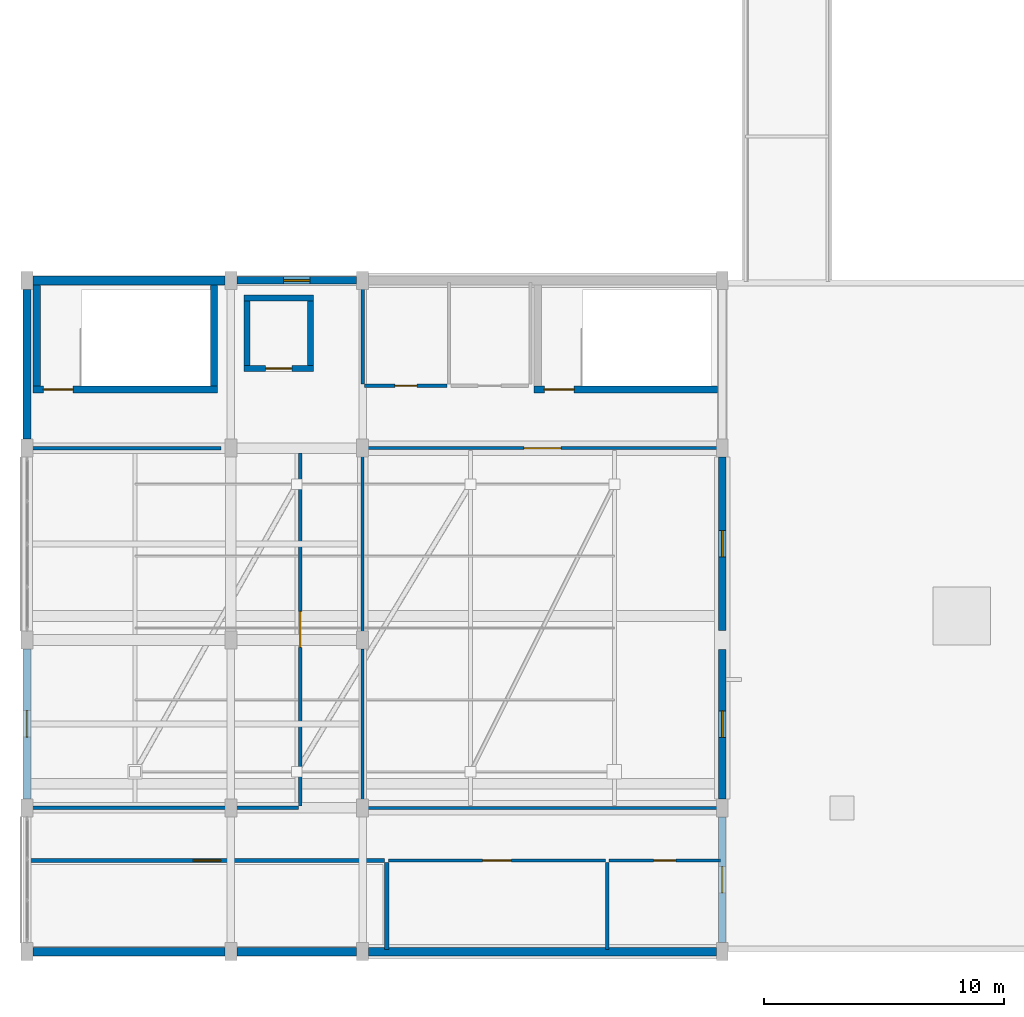
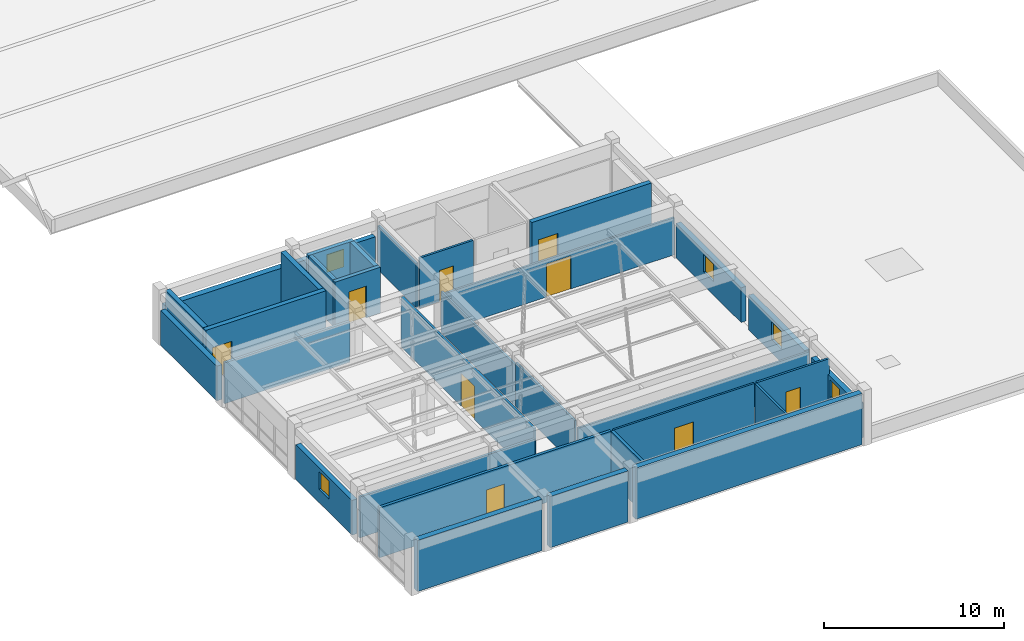
# One storey, part 25 of 42: 32 walls, 9 doors, 5 windows, 14 openings.
"""IFC4 building model written with IfcOpenShell, lengths in metres."""

import ifcopenshell
import ifcopenshell.guid

model = None  # the IFC model being written
_history = None  # IfcOwnerHistory: only IFC2X3 demands one
_inside = {}  # id of a spatial element -> (the spatial element, [elements in it])
_under = {}  # id of a project, library or spatial element -> (it, [spatial elements below it])
_declared = {}  # id of a project -> (the project, [libraries it declares])
_typed = {}  # id of a type object -> (the type object, [elements of that type])
_made_of = {}  # id of a material, layer set ... -> (it, [elements and type objects made of it])


def new_model(schema):
    """Start an empty IFC model of exactly this schema.

    Asked for "IFC4X3", IfcOpenShell would pick the latest addendum, in which some entities
    have other attributes; the version numbers below select the first issue.
    IFC2X3 requires an IfcOwnerHistory on every rooted entity: one is made here for all.
    """
    global model, _history
    if schema == "IFC4X3":
        model = ifcopenshell.file(schema_version=(4, 3, 0, 0))
    else:
        model = ifcopenshell.file(schema=schema)
    _inside.clear()
    _under.clear()
    _declared.clear()
    _typed.clear()
    _made_of.clear()
    _history = None
    if model.schema == "IFC2X3":
        org = make("IfcOrganization", Name="unknown")
        user = make(
            "IfcPersonAndOrganization",
            ThePerson=make("IfcPerson", FamilyName="unknown"),
            TheOrganization=org,
        )
        app = make(
            "IfcApplication",
            ApplicationDeveloper=org,
            Version="unknown",
            ApplicationFullName="unknown",
            ApplicationIdentifier="unknown",
        )
        _history = make(
            "IfcOwnerHistory",
            OwningUser=user,
            OwningApplication=app,
            ChangeAction="ADDED",
            CreationDate=0,
        )
    return model


def make(cls, **values):
    """One entity of the class cls with the attributes given. An attribute that is None is left unset."""
    return model.create_entity(
        cls, **{name: value for name, value in values.items() if value is not None}
    )


def rooted(cls, **values):
    """An entity with a GlobalId (a new one), such as an element, a storey or a relation."""
    return make(cls, GlobalId=ifcopenshell.guid.new(), OwnerHistory=_history, **values)


def si_unit(unit_type, name, prefix=None):
    """IfcSIUnit, for example si_unit("LENGTHUNIT", "METRE", prefix="MILLI")."""
    return make("IfcSIUnit", UnitType=unit_type, Prefix=prefix, Name=name)


def assignment(units):
    """IfcUnitAssignment: the units of a project."""
    return None if units is None else make("IfcUnitAssignment", Units=units)


def point(xyz):
    """IfcCartesianPoint."""
    return None if xyz is None else make("IfcCartesianPoint", Coordinates=xyz)


def direction(xyz):
    """IfcDirection."""
    return None if xyz is None else make("IfcDirection", DirectionRatios=xyz)


def frame(location, z_axis=None, x_axis=None):
    """IfcAxis2Placement3D, a coordinate frame: its origin and axes. An axis left out is left unset."""
    return make(
        "IfcAxis2Placement3D",
        Location=point(location),
        Axis=direction(z_axis),
        RefDirection=direction(x_axis),
    )


def frame_2d(location, x_axis=None):
    """IfcAxis2Placement2D, a coordinate frame in the plane: its origin and x axis."""
    return make(
        "IfcAxis2Placement2D", Location=point(location), RefDirection=direction(x_axis)
    )


def origin():
    """The frame at (0, 0, 0) with its axes left unset."""
    return frame((0.0, 0.0, 0.0))


def place(relative_to, where):
    """IfcLocalPlacement: puts the frame where relative to a parent placement (None: the world)."""
    return make(
        "IfcLocalPlacement", PlacementRelTo=relative_to, RelativePlacement=where
    )


def context(
    kind, dimensions, precision=None, world=None, true_north=None, identifier=None
):
    """IfcGeometricRepresentationContext, for example the 3D "Model" context."""
    return make(
        "IfcGeometricRepresentationContext",
        ContextIdentifier=identifier,
        ContextType=kind,
        CoordinateSpaceDimension=dimensions,
        Precision=precision,
        WorldCoordinateSystem=world,
        TrueNorth=true_north,
    )


def subcontext(parent, identifier, kind, view, scale=None):
    """IfcGeometricRepresentationSubContext, for example "Body" below "Model"."""
    return make(
        "IfcGeometricRepresentationSubContext",
        ContextIdentifier=identifier,
        ContextType=kind,
        ParentContext=parent,
        TargetScale=scale,
        TargetView=view,
    )


def project(units=None, contexts=None):
    """IfcProject with its units and contexts."""
    return rooted(
        "IfcProject",
        Name="project",
        RepresentationContexts=contexts,
        UnitsInContext=assignment(units),
    )


def spatial(cls, under=None, at=None, **own):
    """A site, building, storey or space (cls), placed at a placement, below another one or the project."""
    s = rooted(cls, ObjectPlacement=at, **own)
    if under is not None:
        _under.setdefault(under.id(), (under, []))[1].append(s)
    return s


def profile(cls, at=None, kind="AREA", **sizes):
    """A parametric profile (cls). Its sizes go by their IFC names, for example OverallWidth=200.0."""
    return make(cls, ProfileType=kind, Position=at, **sizes)


def rectangle(**sizes):
    """IfcRectangleProfileDef."""
    return profile("IfcRectangleProfileDef", **sizes)


def extrude(swept, where, along, depth):
    """IfcExtrudedAreaSolid: the profile swept, set in the frame where, extruded along a direction by depth."""
    return make(
        "IfcExtrudedAreaSolid",
        SweptArea=swept,
        Position=where,
        ExtrudedDirection=direction(along),
        Depth=depth,
    )


def shape(context_of_items, identifier, shape_type, items):
    """IfcShapeRepresentation: the items that make up one representation, for example the "Body"."""
    return make(
        "IfcShapeRepresentation",
        ContextOfItems=context_of_items,
        RepresentationIdentifier=identifier,
        RepresentationType=shape_type,
        Items=items,
    )


def material(Name=None, Category=None):
    """IfcMaterial."""
    return make("IfcMaterial", Name=Name, Category=Category)


def layer(
    of_material, thickness, ventilated=None, Name=None, Category=None, Priority=None
):
    """IfcMaterialLayer: one layer of a wall or slab, of a material (None: an air gap)."""
    return make(
        "IfcMaterialLayer",
        Material=of_material,
        LayerThickness=thickness,
        IsVentilated=ventilated,
        Name=Name,
        Category=Category,
        Priority=Priority,
    )


def layer_set(layers, Name=None):
    """IfcMaterialLayerSet."""
    return make("IfcMaterialLayerSet", MaterialLayers=layers, LayerSetName=Name)


def made_of(thing, what):
    """Note that an element or type object is made of a material, layer set ...; save() writes the relation."""
    if what is not None:
        _made_of.setdefault(what.id(), (what, []))[1].append(thing)
    return thing


def type_object(cls, material=None, **own):
    """A type object (cls), such as IfcWallType, which elements share."""
    return made_of(rooted(cls, **own), material)


def element(
    cls,
    number,
    at=None,
    inside=None,
    cuts=None,
    type_object=None,
    material=None,
    context=None,
    identifier="Body",
    shape_type=None,
    held_by="IfcProductDefinitionShape",
    body=None,
    shapes=None,
    **own,
):
    """One element of the class cls, such as IfcWall. Its Tag is "e" and its number.

    at: its placement. inside: the storey or other place that contains it. cuts: it is an
    opening in that element (IfcRelVoidsElement). A single representation is given by context,
    identifier, shape_type and body (its items); several are given by shapes. held_by: the class
    of the entity that holds the representations. save() writes the other relations.
    """
    e = rooted(cls, Tag="e%d" % number, ObjectPlacement=at, **own)
    if body is not None:
        shapes = [shape(context, identifier, shape_type, body)]
    if shapes is not None:
        e.Representation = make(held_by, Representations=shapes)
    if inside is not None:
        _inside.setdefault(inside.id(), (inside, []))[1].append(e)
    if cuts is not None:
        rooted(
            "IfcRelVoidsElement", RelatingBuildingElement=cuts, RelatedOpeningElement=e
        )
    if type_object is not None:
        _typed.setdefault(type_object.id(), (type_object, []))[1].append(e)
    return made_of(e, material)


def fill(opening, filler):
    """IfcRelFillsElement: the door or window that sits in an opening."""
    return rooted(
        "IfcRelFillsElement",
        RelatingOpeningElement=opening,
        RelatedBuildingElement=filler,
    )


def aggregate(whole, parts):
    """IfcRelAggregates: a whole, such as a stair, and the parts it consists of."""
    return rooted("IfcRelAggregates", RelatingObject=whole, RelatedObjects=parts)


def save(model, path):
    """Write the relations noted so far, then the file.

    IfcRelAggregates (storeys below a building ...), IfcRelContainedInSpatialStructure (elements
    in a storey), IfcRelDefinesByType, IfcRelAssociatesMaterial and IfcRelDeclares: one each for
    every whole, place, type object, material and project.
    """
    for whole, parts in _under.values():
        aggregate(whole, parts)
    for where, things in _inside.values():
        rooted(
            "IfcRelContainedInSpatialStructure",
            RelatedElements=things,
            RelatingStructure=where,
        )
    for kind, things in _typed.values():
        rooted("IfcRelDefinesByType", RelatedObjects=things, RelatingType=kind)
    for what, things in _made_of.values():
        rooted("IfcRelAssociatesMaterial", RelatedObjects=things, RelatingMaterial=what)
    for by, libraries in _declared.values():
        rooted("IfcRelDeclares", RelatingContext=by, RelatedDefinitions=libraries)
    model.write(path)


model = new_model("IFC4")

# Units and contexts
model_context = context("Model", 3, precision=1e-05, world=origin(), true_north=direction((0.0, 1.0)))
body_context = subcontext(model_context, "Body", "Model", "MODEL_VIEW")
ifc_project = project(units=[si_unit("LENGTHUNIT", "METRE"), si_unit("AREAUNIT", "SQUARE_METRE"), si_unit("VOLUMEUNIT", "CUBIC_METRE"), si_unit("PLANEANGLEUNIT", "RADIAN"), si_unit("MASSUNIT", "GRAM", prefix="KILO")], contexts=[model_context])

# Site, building, storey
site_placement = place(None, origin())
site = spatial("IfcSite", under=ifc_project, at=site_placement, CompositionType="ELEMENT")
building_placement = place(site_placement, origin())
building = spatial("IfcBuilding", under=site, at=building_placement, Name="Naurynzar Civic Courthouse", CompositionType="ELEMENT")
storey_placement = place(building_placement, frame((0.0, 0.0, 18.300048828125)))
storey = spatial("IfcBuildingStorey", under=building, at=storey_placement, Name="L05", CompositionType="ELEMENT", Elevation=18.300048828125)

# Wall, opening, door
ifc_material_1 = material(Name="Concrete C40/50", Category="concrete")
ifc_layer_1 = layer(ifc_material_1, 0.300048828125)
ifc_layer_set_1 = layer_set([ifc_layer_1], Name="WL-CORE-300")
wall_type_1 = type_object("IfcWallType", Name="WL-CORE-300", PredefinedType="SHEAR", material=ifc_layer_set_1)
wall_1_placement = place(storey_placement, frame((6.25, 27.449951171875, 0.0), z_axis=(0.0, 0.0, 1.0), x_axis=(1.0, 0.0, 0.0)))
wall_1 = element("IfcWall", 1, at=wall_1_placement, inside=storey, type_object=wall_type_1, Name="Stair ST-V4A enclosure wall south L05", PredefinedType="SHEAR", context=body_context, shape_type="SweptSolid", body=[
    extrude(rectangle(XDim=7.699951171875, YDim=0.300048828125, at=frame_2d((3.85009765625, 0.0))), origin(), (0.0, 0.0, 1.0), 3.469970703125),
])
opening_1_placement = place(wall_1_placement, frame((0.425048828125, 0.0, 0.0)))
opening_1 = element("IfcOpeningElement", 2, at=opening_1_placement, cuts=wall_1, Name="Opening SD-016", PredefinedType="OPENING", context=body_context, shape_type="SweptSolid", body=[
    extrude(rectangle(XDim=1.25, YDim=2.14990234375, at=frame_2d((0.625, 1.074951171875))), frame((0.0, 0.159912109375, 0.0), z_axis=(0.0, -1.0, 0.0), x_axis=(1.0, 0.0, 0.0)), (0.0, 0.0, 1.0), 0.320068359375),
])
ifc_material_2 = material(Name="Powder-Coated Galvanised Steel", Category="steel")
door_type_1 = type_object("IfcDoorType", Name="DR-STAIR-1250x2150", OperationType="NOTDEFINED", PredefinedType="DOOR", material=ifc_material_2)
door_1_placement = place(opening_1_placement, origin())
door_1 = element("IfcDoor", 3, at=door_1_placement, inside=storey, type_object=door_type_1, Name="Stair ST-V4A fire door L05", OperationType="SINGLE_SWING_RIGHT", OverallHeight=2.14990234375, OverallWidth=1.25, PredefinedType="DOOR", context=body_context, shape_type="SweptSolid", body=[
    extrude(rectangle(XDim=1.25, YDim=2.14990234375, at=frame_2d((0.625, 1.074951171875))), frame((0.0, 0.02490234375, 0.0), z_axis=(0.0, -1.0, 0.0), x_axis=(1.0, 0.0, 0.0)), (0.0, 0.0, 1.0), 0.050048828125),
])
fill(opening_1, door_1)

# Walls
for number, where, z_axis, x_axis, name in (
    (4, (6.39990234375, 31.804931640625, 0.0), (0.0, 0.0, 1.0), (0.0, -1.0, 0.0), "Stair ST-V4A enclosure wall west L05"),
    (5, (13.800048828125, 27.60498046875, 0.0), (0.0, 0.0, 1.0), (0.0, 1.0, 0.0), "Stair ST-V4A enclosure wall east L05"),
):
    element("IfcWall", number, at=place(storey_placement, frame(where, z_axis=z_axis, x_axis=x_axis)), inside=storey, type_object=wall_type_1, Name=name, PredefinedType="SHEAR", context=body_context, shape_type="SweptSolid", body=[
        extrude(rectangle(XDim=4.199951171875, YDim=0.300048828125, at=frame_2d((2.10009765625, 0.0))), origin(), (0.0, 0.0, 1.0), 3.469970703125),
    ])

# Wall, opening, door
wall_2_placement = place(storey_placement, frame((27.14990234375, 27.449951171875, 0.0), z_axis=(0.0, 0.0, 1.0), x_axis=(1.0, 0.0, 0.0)))
wall_2 = element("IfcWall", 6, at=wall_2_placement, inside=storey, type_object=wall_type_1, Name="Stair ST-V4B enclosure wall south L05", PredefinedType="SHEAR", context=body_context, shape_type="SweptSolid", body=[
    extrude(rectangle(XDim=7.655029296875, YDim=0.300048828125, at=frame_2d((3.82763671875, 0.0))), origin(), (0.0, 0.0, 1.0), 3.469970703125),
])
opening_2_placement = place(wall_2_placement, frame((0.425048828125, 0.0, 0.0)))
opening_2 = element("IfcOpeningElement", 7, at=opening_2_placement, cuts=wall_2, Name="Opening SD-022", PredefinedType="OPENING", context=body_context, shape_type="SweptSolid", body=[
    extrude(rectangle(XDim=1.25, YDim=2.14990234375, at=frame_2d((0.625, 1.074951171875))), frame((0.0, 0.159912109375, 0.0), z_axis=(0.0, -1.0, 0.0), x_axis=(1.0, 0.0, 0.0)), (0.0, 0.0, 1.0), 0.320068359375),
])
door_2_placement = place(opening_2_placement, origin())
door_2 = element("IfcDoor", 8, at=door_2_placement, inside=storey, type_object=door_type_1, Name="Stair ST-V4B fire door L05", OperationType="SINGLE_SWING_RIGHT", OverallHeight=2.14990234375, OverallWidth=1.25, PredefinedType="DOOR", context=body_context, shape_type="SweptSolid", body=[
    extrude(rectangle(XDim=1.25, YDim=2.14990234375, at=frame_2d((0.625, 1.074951171875))), frame((0.0, 0.02490234375, 0.0), z_axis=(0.0, -1.0, 0.0), x_axis=(1.0, 0.0, 0.0)), (0.0, 0.0, 1.0), 0.050048828125),
])
fill(opening_2, door_2)

# Wall, opening, window
ifc_material_3 = material(Name="Precast concrete C40/50", Category="concrete")
ifc_layer_2 = layer(ifc_material_3, 0.320068359375)
ifc_layer_set_2 = layer_set([ifc_layer_2], Name="WL-EXT-320")
wall_type_2 = type_object("IfcWallType", Name="WL-EXT-320", PredefinedType="SOLIDWALL", material=ifc_layer_set_2)
wall_3_placement = place(storey_placement, frame((6.0, 10.375, 0.0), z_axis=(0.0, 0.0, 1.0), x_axis=(0.0, 1.0, 0.0)))
wall_3 = element("IfcWall", 9, at=wall_3_placement, inside=storey, type_object=wall_type_2, Name="V4 exterior wall west L05.2.1", PredefinedType="SOLIDWALL", context=body_context, shape_type="SweptSolid", body=[
    extrude(rectangle(XDim=6.25, YDim=0.320068359375, at=frame_2d((3.125, 0.0))), origin(), (0.0, 0.0, 1.0), 2.349853515625),
])
opening_3_placement = place(wall_3_placement, frame((2.574951171875, 0.0, 0.89990234375)))
opening_3 = element("IfcOpeningElement", 10, at=opening_3_placement, cuts=wall_3, Name="Opening WN-15", PredefinedType="OPENING", context=body_context, shape_type="SweptSolid", body=[
    extrude(rectangle(XDim=1.10009765625, YDim=1.199951171875, at=frame_2d((0.550048828125, 0.60009765625))), frame((0.0, 0.169921875, 0.0), z_axis=(0.0, -1.0, 0.0), x_axis=(1.0, 0.0, 0.0)), (0.0, 0.0, 1.0), 0.340087890625),
])
ifc_material_4 = material(Name="Tempered Laminated Low-E Glass", Category="glass")
window_type = type_object("IfcWindowType", Name="WIN-SEC-1100x1200", PartitioningType="SINGLE_PANEL", PredefinedType="WINDOW", material=ifc_material_4)
window_1_placement = place(opening_3_placement, origin())
window_1 = element("IfcWindow", 11, at=window_1_placement, inside=storey, type_object=window_type, Name="V4 window 233 L05", OverallHeight=1.199951171875, OverallWidth=1.10009765625, PartitioningType="SINGLE_PANEL", PredefinedType="WINDOW", context=body_context, shape_type="SweptSolid", body=[
    extrude(rectangle(XDim=1.10009765625, YDim=1.199951171875, at=frame_2d((0.550048828125, 0.60009765625))), frame((0.0, 0.030029296875, 0.0), z_axis=(0.0, -1.0, 0.0), x_axis=(1.0, 0.0, 0.0)), (0.0, 0.0, 1.0), 0.06005859375),
])
fill(opening_3, window_1)

# Wall
wall_4_placement = place(storey_placement, frame((6.0, 25.375, 0.0), z_axis=(0.0, 0.0, 1.0), x_axis=(0.0, 1.0, 0.0)))
element("IfcWall", 12, at=wall_4_placement, inside=storey, type_object=wall_type_2, Name="V4 exterior wall west L05.4.1", PredefinedType="SOLIDWALL", context=body_context, shape_type="SweptSolid", body=[
    extrude(rectangle(XDim=6.25, YDim=0.320068359375, at=frame_2d((3.125, 0.0))), origin(), (0.0, 0.0, 1.0), 2.349853515625),
])

# Wall, opening, window
wall_5_placement = place(storey_placement, frame((14.75, 32.0, 0.0), z_axis=(0.0, 0.0, 1.0), x_axis=(1.0, 0.0, 0.0)))
wall_5 = element("IfcWall", 13, at=wall_5_placement, inside=storey, type_object=wall_type_2, Name="V4 exterior wall north L05.2.1", PredefinedType="SOLIDWALL", context=body_context, shape_type="SweptSolid", body=[
    extrude(rectangle(XDim=5.0, YDim=0.320068359375, at=frame_2d((2.5, 0.0))), origin(), (0.0, 0.0, 1.0), 2.349853515625),
])
opening_4_placement = place(wall_5_placement, frame((1.949951171875, 0.0, 0.89990234375)))
opening_4 = element("IfcOpeningElement", 14, at=opening_4_placement, cuts=wall_5, Name="Opening WN-15", PredefinedType="OPENING", context=body_context, shape_type="SweptSolid", body=[
    extrude(rectangle(XDim=1.10009765625, YDim=1.199951171875, at=frame_2d((0.550048828125, 0.60009765625))), frame((0.0, 0.169921875, 0.0), z_axis=(0.0, -1.0, 0.0), x_axis=(1.0, 0.0, 0.0)), (0.0, 0.0, 1.0), 0.340087890625),
])
window_2_placement = place(opening_4_placement, origin())
window_2 = element("IfcWindow", 15, at=window_2_placement, inside=storey, type_object=window_type, Name="V4 window 234 L05", OverallHeight=1.199951171875, OverallWidth=1.10009765625, PartitioningType="SINGLE_PANEL", PredefinedType="WINDOW", context=body_context, shape_type="SweptSolid", body=[
    extrude(rectangle(XDim=1.10009765625, YDim=1.199951171875, at=frame_2d((0.550048828125, 0.60009765625))), frame((0.0, 0.030029296875, 0.0), z_axis=(0.0, -1.0, 0.0), x_axis=(1.0, 0.0, 0.0)), (0.0, 0.0, 1.0), 0.06005859375),
])
fill(opening_4, window_2)

wall_6_placement = place(storey_placement, frame((35.0, 24.625, 0.0), z_axis=(0.0, 0.0, 1.0), x_axis=(0.0, -1.0, 0.0)))
wall_6 = element("IfcWall", 16, at=wall_6_placement, inside=storey, type_object=wall_type_2, Name="V4 exterior wall east L05.2.1", PredefinedType="SOLIDWALL", context=body_context, shape_type="SweptSolid", body=[
    extrude(rectangle(XDim=7.22509765625, YDim=0.320068359375, at=frame_2d((3.612548828125, 0.0))), origin(), (0.0, 0.0, 1.0), 2.349853515625),
])
opening_5_placement = place(wall_6_placement, frame((3.0625, 0.0, 0.89990234375)))
opening_5 = element("IfcOpeningElement", 17, at=opening_5_placement, cuts=wall_6, Name="Opening WN-15", PredefinedType="OPENING", context=body_context, shape_type="SweptSolid", body=[
    extrude(rectangle(XDim=1.10009765625, YDim=1.199951171875, at=frame_2d((0.550048828125, 0.60009765625))), frame((0.0, 0.169921875, 0.0), z_axis=(0.0, -1.0, 0.0), x_axis=(1.0, 0.0, 0.0)), (0.0, 0.0, 1.0), 0.340087890625),
])
window_3_placement = place(opening_5_placement, origin())
window_3 = element("IfcWindow", 18, at=window_3_placement, inside=storey, type_object=window_type, Name="V4 window 235 L05", OverallHeight=1.199951171875, OverallWidth=1.10009765625, PartitioningType="SINGLE_PANEL", PredefinedType="WINDOW", context=body_context, shape_type="SweptSolid", body=[
    extrude(rectangle(XDim=1.10009765625, YDim=1.199951171875, at=frame_2d((0.550048828125, 0.60009765625))), frame((0.0, 0.030029296875, 0.0), z_axis=(0.0, -1.0, 0.0), x_axis=(1.0, 0.0, 0.0)), (0.0, 0.0, 1.0), 0.06005859375),
])
fill(opening_5, window_3)

wall_7_placement = place(storey_placement, frame((35.0, 16.60009765625, 0.0), z_axis=(0.0, 0.0, 1.0), x_axis=(0.0, -1.0, 0.0)))
wall_7 = element("IfcWall", 19, at=wall_7_placement, inside=storey, type_object=wall_type_2, Name="V4 exterior wall east L05.3.1", PredefinedType="SOLIDWALL", context=body_context, shape_type="SweptSolid", body=[
    extrude(rectangle(XDim=6.22509765625, YDim=0.320068359375, at=frame_2d((3.112548828125, 0.0))), origin(), (0.0, 0.0, 1.0), 2.349853515625),
])
opening_6_placement = place(wall_7_placement, frame((2.5625, 0.0, 0.89990234375)))
opening_6 = element("IfcOpeningElement", 20, at=opening_6_placement, cuts=wall_7, Name="Opening WN-15", PredefinedType="OPENING", context=body_context, shape_type="SweptSolid", body=[
    extrude(rectangle(XDim=1.10009765625, YDim=1.199951171875, at=frame_2d((0.550048828125, 0.60009765625))), frame((0.0, 0.169921875, 0.0), z_axis=(0.0, -1.0, 0.0), x_axis=(1.0, 0.0, 0.0)), (0.0, 0.0, 1.0), 0.340087890625),
])
window_4_placement = place(opening_6_placement, origin())
window_4 = element("IfcWindow", 21, at=window_4_placement, inside=storey, type_object=window_type, Name="V4 window 236 L05", OverallHeight=1.199951171875, OverallWidth=1.10009765625, PartitioningType="SINGLE_PANEL", PredefinedType="WINDOW", context=body_context, shape_type="SweptSolid", body=[
    extrude(rectangle(XDim=1.10009765625, YDim=1.199951171875, at=frame_2d((0.550048828125, 0.60009765625))), frame((0.0, 0.030029296875, 0.0), z_axis=(0.0, -1.0, 0.0), x_axis=(1.0, 0.0, 0.0)), (0.0, 0.0, 1.0), 0.06005859375),
])
fill(opening_6, window_4)

wall_8_placement = place(storey_placement, frame((35.0, 9.625, 0.0), z_axis=(0.0, 0.0, 1.0), x_axis=(0.0, -1.0, 0.0)))
wall_8 = element("IfcWall", 22, at=wall_8_placement, inside=storey, type_object=wall_type_2, Name="V4 exterior wall east L05.4.1", PredefinedType="SOLIDWALL", context=body_context, shape_type="SweptSolid", body=[
    extrude(rectangle(XDim=5.25, YDim=0.320068359375, at=frame_2d((2.625, 0.0))), origin(), (0.0, 0.0, 1.0), 2.349853515625),
])
opening_7_placement = place(wall_8_placement, frame((2.074951171875, 0.0, 0.89990234375)))
opening_7 = element("IfcOpeningElement", 23, at=opening_7_placement, cuts=wall_8, Name="Opening WN-15", PredefinedType="OPENING", context=body_context, shape_type="SweptSolid", body=[
    extrude(rectangle(XDim=1.10009765625, YDim=1.199951171875, at=frame_2d((0.550048828125, 0.60009765625))), frame((0.0, 0.169921875, 0.0), z_axis=(0.0, -1.0, 0.0), x_axis=(1.0, 0.0, 0.0)), (0.0, 0.0, 1.0), 0.340087890625),
])
window_5_placement = place(opening_7_placement, origin())
window_5 = element("IfcWindow", 24, at=window_5_placement, inside=storey, type_object=window_type, Name="V4 window 237 L05", OverallHeight=1.199951171875, OverallWidth=1.10009765625, PartitioningType="SINGLE_PANEL", PredefinedType="WINDOW", context=body_context, shape_type="SweptSolid", body=[
    extrude(rectangle(XDim=1.10009765625, YDim=1.199951171875, at=frame_2d((0.550048828125, 0.60009765625))), frame((0.0, 0.030029296875, 0.0), z_axis=(0.0, -1.0, 0.0), x_axis=(1.0, 0.0, 0.0)), (0.0, 0.0, 1.0), 0.06005859375),
])
fill(opening_7, window_5)

# Walls
ifc_material_5 = material(Name="Fire-Rated Corridor Gypsum Partition")
ifc_layer_3 = layer(ifc_material_5, 0.14990234375)
ifc_layer_set_3 = layer_set([ifc_layer_3], Name="WL-PART-CORR-150")
wall_type_3 = type_object("IfcWallType", Name="WL-PART-CORR-150", PredefinedType="PARTITIONING", material=ifc_layer_set_3)
wall_9_placement = place(storey_placement, frame((6.080078125, 10.0, 0.0), z_axis=(0.0, 0.0, 1.0), x_axis=(1.0, 0.0, 0.0)))
element("IfcWall", 25, at=wall_9_placement, inside=storey, type_object=wall_type_3, Name="V4 interior partition L05.570", PredefinedType="PARTITIONING", context=body_context, shape_type="SweptSolid", body=[
    extrude(rectangle(XDim=11.239990234375, YDim=0.14990234375, at=frame_2d((5.6201171875, 0.0))), origin(), (0.0, 0.0, 1.0), 2.77001953125),
])
wall_10_placement = place(storey_placement, frame((6.080078125, 25.0, 0.0), z_axis=(0.0, 0.0, 1.0), x_axis=(1.0, 0.0, 0.0)))
element("IfcWall", 26, at=wall_10_placement, inside=storey, type_object=wall_type_3, Name="V4 interior partition L05.578", PredefinedType="PARTITIONING", context=body_context, shape_type="SweptSolid", body=[
    extrude(rectangle(XDim=8.02001953125, YDim=0.14990234375, at=frame_2d((4.010009765625, 0.0))), origin(), (0.0, 0.0, 1.0), 2.77001953125),
])

# Wall, opening, door
wall_11_placement = place(storey_placement, frame((17.39990234375, 10.080078125, 0.0), z_axis=(0.0, 0.0, 1.0), x_axis=(0.0, 1.0, 0.0)))
wall_11 = element("IfcWall", 27, at=wall_11_placement, inside=storey, type_object=wall_type_3, Name="V4 interior partition L05.614", PredefinedType="PARTITIONING", context=body_context, shape_type="SweptSolid", body=[
    extrude(rectangle(XDim=14.719970703125, YDim=0.14990234375, at=frame_2d((7.35986328125, 0.0))), origin(), (0.0, 0.0, 1.0), 3.389892578125),
])
opening_8_placement = place(wall_11_placement, frame((6.610107421875, 0.0, 0.0)))
opening_8 = element("IfcOpeningElement", 28, at=opening_8_placement, cuts=wall_11, Name="Opening D-090", PredefinedType="OPENING", context=body_context, shape_type="SweptSolid", body=[
    extrude(rectangle(XDim=1.5, YDim=2.25, at=frame_2d((0.75, 1.125))), frame((0.0, 0.0849609375, 0.0), z_axis=(0.0, -1.0, 0.0), x_axis=(1.0, 0.0, 0.0)), (0.0, 0.0, 1.0), 0.169921875),
])
ifc_material_6 = material(Name="Acoustic Oak Timber Grade A", Category="wood")
door_type_2 = type_object("IfcDoorType", Name="DR-SUITE-1500x2250", OperationType="NOTDEFINED", PredefinedType="DOOR", material=ifc_material_6)
door_3_placement = place(opening_8_placement, origin())
door_3 = element("IfcDoor", 29, at=door_3_placement, inside=storey, type_object=door_type_2, Name="Interior door D-090 (Judicial Archive Reference Hall)", OperationType="SINGLE_SWING_RIGHT", OverallHeight=2.25, OverallWidth=1.5, PredefinedType="DOOR", context=body_context, shape_type="SweptSolid", body=[
    extrude(rectangle(XDim=1.5, YDim=2.25, at=frame_2d((0.75, 1.125))), frame((0.0, 0.02490234375, 0.0), z_axis=(0.0, -1.0, 0.0), x_axis=(1.0, 0.0, 0.0)), (0.0, 0.0, 1.0), 0.050048828125),
])
fill(opening_8, door_3)

ifc_material_7 = material(Name="Acoustic Double-Stud Gypsum Partition")
ifc_layer_4 = layer(ifc_material_7, 0.179931640625)
ifc_layer_set_4 = layer_set([ifc_layer_4], Name="WL-PART-JURY-180")
wall_type_4 = type_object("IfcWallType", Name="WL-PART-JURY-180", PredefinedType="PARTITIONING", material=ifc_layer_set_4)
wall_12_placement = place(storey_placement, frame((6.080078125, 7.800048828125, 0.0), z_axis=(0.0, 0.0, 1.0), x_axis=(1.0, 0.0, 0.0)))
wall_12 = element("IfcWall", 30, at=wall_12_placement, inside=storey, type_object=wall_type_4, Name="V4 interior partition L05.567", PredefinedType="PARTITIONING", context=body_context, shape_type="SweptSolid", body=[
    extrude(rectangle(XDim=14.83984375, YDim=0.179931640625, at=frame_2d((7.419921875, 0.0))), origin(), (0.0, 0.0, 1.0), 3.389892578125),
])
opening_9_placement = place(wall_12_placement, frame((6.844970703125, 0.0, 0.0)))
opening_9 = element("IfcOpeningElement", 31, at=opening_9_placement, cuts=wall_12, Name="Opening D-092", PredefinedType="OPENING", context=body_context, shape_type="SweptSolid", body=[
    extrude(rectangle(XDim=1.14990234375, YDim=2.199951171875, at=frame_2d((0.574951171875, 1.10009765625))), frame((0.0, 0.099853515625, 0.0), z_axis=(0.0, -1.0, 0.0), x_axis=(1.0, 0.0, 0.0)), (0.0, 0.0, 1.0), 0.199951171875),
])
ifc_material_8 = material(Name="Acoustic Oak Timber Grade A", Category="wood")
door_type_3 = type_object("IfcDoorType", Name="DR-JURY-1150x2200", OperationType="NOTDEFINED", PredefinedType="DOOR", material=ifc_material_8)
door_4_placement = place(opening_9_placement, origin())
door_4 = element("IfcDoor", 32, at=door_4_placement, inside=storey, type_object=door_type_3, Name="Interior door D-092 (Judicial Clerks' Training Room)", OperationType="SINGLE_SWING_RIGHT", OverallHeight=2.199951171875, OverallWidth=1.14990234375, PredefinedType="DOOR", context=body_context, shape_type="SweptSolid", body=[
    extrude(rectangle(XDim=1.14990234375, YDim=2.199951171875, at=frame_2d((0.574951171875, 1.10009765625))), frame((0.0, 0.02490234375, 0.0), z_axis=(0.0, -1.0, 0.0), x_axis=(1.0, 0.0, 0.0)), (0.0, 0.0, 1.0), 0.050048828125),
])
fill(opening_9, door_4)

# Wall
wall_13_placement = place(storey_placement, frame((21.0, 4.080078125, 0.0), z_axis=(0.0, 0.0, 1.0), x_axis=(0.0, 1.0, 0.0)))
element("IfcWall", 33, at=wall_13_placement, inside=storey, type_object=wall_type_4, Name="V4 interior partition L05.617", PredefinedType="PARTITIONING", context=body_context, shape_type="SweptSolid", body=[
    extrude(rectangle(XDim=3.639892578125, YDim=0.179931640625, at=frame_2d((1.81982421875, 0.0))), origin(), (0.0, 0.0, 1.0), 3.389892578125),
])

# Wall, opening, door
ifc_material_9 = material(Name="Metal-Stud Gypsum Partition")
ifc_layer_5 = layer(ifc_material_9, 0.125)
ifc_layer_set_5 = layer_set([ifc_layer_5], Name="WL-PART-STD-125")
wall_type_5 = type_object("IfcWallType", Name="WL-PART-STD-125", PredefinedType="PARTITIONING", material=ifc_layer_set_5)
wall_14_placement = place(storey_placement, frame((21.080078125, 7.800048828125, 0.0), z_axis=(0.0, 0.0, 1.0), x_axis=(1.0, 0.0, 0.0)))
wall_14 = element("IfcWall", 34, at=wall_14_placement, inside=storey, type_object=wall_type_5, Name="V4 interior partition L05.568", PredefinedType="PARTITIONING", context=body_context, shape_type="SweptSolid", body=[
    extrude(rectangle(XDim=9.0400390625, YDim=0.125, at=frame_2d((4.52001953125, 0.0))), origin(), (0.0, 0.0, 1.0), 3.389892578125),
])
opening_10_placement = place(wall_14_placement, frame((3.919921875, 0.0, 0.0)))
opening_10 = element("IfcOpeningElement", 35, at=opening_10_placement, cuts=wall_14, Name="Opening D-093", PredefinedType="OPENING", context=body_context, shape_type="SweptSolid", body=[
    extrude(rectangle(XDim=1.199951171875, YDim=2.14990234375, at=frame_2d((0.60009765625, 1.074951171875))), frame((0.0, 0.072509765625, 0.0), z_axis=(0.0, -1.0, 0.0), x_axis=(1.0, 0.0, 0.0)), (0.0, 0.0, 1.0), 0.14501953125),
])
ifc_material_10 = material(Name="Powder-Coated Galvanised Steel", Category="steel")
door_type_4 = type_object("IfcDoorType", Name="DR-ARCH-1200x2150", OperationType="NOTDEFINED", PredefinedType="DOOR", material=ifc_material_10)
door_5_placement = place(opening_10_placement, origin())
door_5 = element("IfcDoor", 36, at=door_5_placement, inside=storey, type_object=door_type_4, Name="Interior door D-093 (Archive Conservation Room)", OperationType="SINGLE_SWING_LEFT", OverallHeight=2.14990234375, OverallWidth=1.199951171875, PredefinedType="DOOR", context=body_context, shape_type="SweptSolid", body=[
    extrude(rectangle(XDim=1.199951171875, YDim=2.14990234375, at=frame_2d((0.60009765625, 1.074951171875))), frame((0.0, 0.02490234375, 0.0), z_axis=(0.0, -1.0, 0.0), x_axis=(1.0, 0.0, 0.0)), (0.0, 0.0, 1.0), 0.050048828125),
])
fill(opening_10, door_5)

# Wall
wall_15_placement = place(storey_placement, frame((20.080078125, 10.0, 0.0), z_axis=(0.0, 0.0, 1.0), x_axis=(1.0, 0.0, 0.0)))
element("IfcWall", 37, at=wall_15_placement, inside=storey, type_object=wall_type_5, Name="V4 interior partition L05.571", PredefinedType="PARTITIONING", context=body_context, shape_type="SweptSolid", body=[
    extrude(rectangle(XDim=14.83984375, YDim=0.125, at=frame_2d((7.419921875, 0.0))), origin(), (0.0, 0.0, 1.0), 2.52001953125),
])

# Wall, opening, door
wall_16_placement = place(storey_placement, frame((20.080078125, 25.0, 0.0), z_axis=(0.0, 0.0, 1.0), x_axis=(1.0, 0.0, 0.0)))
wall_16 = element("IfcWall", 38, at=wall_16_placement, inside=storey, type_object=wall_type_5, Name="V4 interior partition L05.579", PredefinedType="PARTITIONING", context=body_context, shape_type="SweptSolid", body=[
    extrude(rectangle(XDim=14.83984375, YDim=0.125, at=frame_2d((7.419921875, 0.0))), origin(), (0.0, 0.0, 1.0), 2.52001953125),
])
opening_11_placement = place(wall_16_placement, frame((6.64501953125, 0.0, 0.0)))
opening_11 = element("IfcOpeningElement", 39, at=opening_11_placement, cuts=wall_16, Name="Opening D-091", PredefinedType="OPENING", context=body_context, shape_type="SweptSolid", body=[
    extrude(rectangle(XDim=1.550048828125, YDim=2.25, at=frame_2d((0.77490234375, 1.125))), frame((0.0, 0.072509765625, 0.0), z_axis=(0.0, -1.0, 0.0), x_axis=(1.0, 0.0, 0.0)), (0.0, 0.0, 1.0), 0.14501953125),
])
ifc_material_11 = material(Name="Acoustic Oak Timber Grade A", Category="wood")
door_type_5 = type_object("IfcDoorType", Name="DR-SUITE-1550x2250", OperationType="DOUBLE_DOOR_SINGLE_SWING", PredefinedType="DOOR", material=ifc_material_11)
door_6_placement = place(opening_11_placement, origin())
door_6 = element("IfcDoor", 40, at=door_6_placement, inside=storey, type_object=door_type_5, Name="Interior door D-091 (Judicial Mediation Hearing Room)", OperationType="DOUBLE_DOOR_SINGLE_SWING", OverallHeight=2.25, OverallWidth=1.550048828125, PredefinedType="DOOR", context=body_context, shape_type="SweptSolid", body=[
    extrude(rectangle(XDim=1.550048828125, YDim=2.25, at=frame_2d((0.77490234375, 1.125))), frame((0.0, 0.02490234375, 0.0), z_axis=(0.0, -1.0, 0.0), x_axis=(1.0, 0.0, 0.0)), (0.0, 0.0, 1.0), 0.050048828125),
])
fill(opening_11, door_6)

# Walls
wall_17_placement = place(storey_placement, frame((20.0, 10.080078125, 0.0), z_axis=(0.0, 0.0, 1.0), x_axis=(0.0, 1.0, 0.0)))
element("IfcWall", 41, at=wall_17_placement, inside=storey, type_object=wall_type_5, Name="V4 interior partition L05.615a", PredefinedType="PARTITIONING", context=body_context, shape_type="SweptSolid", body=[
    extrude(rectangle(XDim=6.544921875, YDim=0.125, at=frame_2d((3.2724609375, 0.0))), origin(), (0.0, 0.0, 1.0), 2.994873046875),
])
wall_18_placement = place(storey_placement, frame((20.0, 16.625, 0.0), z_axis=(0.0, 0.0, 1.0), x_axis=(0.0, 1.0, 0.0)))
element("IfcWall", 42, at=wall_18_placement, inside=storey, type_object=wall_type_5, Name="V4 interior partition L05.615ab", PredefinedType="PARTITIONING", context=body_context, shape_type="SweptSolid", body=[
    extrude(rectangle(XDim=8.294921875, YDim=0.125, at=frame_2d((4.1474609375, 0.0))), origin(), (0.0, 0.0, 1.0), 2.77001953125),
])

# Wall, opening, door
ifc_material_12 = material(Name="Moisture-Resistant Plumbing Partition")
ifc_layer_6 = layer(ifc_material_12, 0.139892578125)
ifc_layer_set_6 = layer_set([ifc_layer_6], Name="WL-PART-WC-140")
wall_type_6 = type_object("IfcWallType", Name="WL-PART-WC-140", PredefinedType="PLUMBINGWALL", material=ifc_layer_set_6)
wall_19_placement = place(storey_placement, frame((30.280029296875, 7.800048828125, 0.0), z_axis=(0.0, 0.0, 1.0), x_axis=(1.0, 0.0, 0.0)))
wall_19 = element("IfcWall", 43, at=wall_19_placement, inside=storey, type_object=wall_type_6, Name="V4 interior partition L05.569", PredefinedType="PLUMBINGWALL", context=body_context, shape_type="SweptSolid", body=[
    extrude(rectangle(XDim=4.639892578125, YDim=0.139892578125, at=frame_2d((2.31982421875, 0.0))), origin(), (0.0, 0.0, 1.0), 3.389892578125),
])
opening_12_placement = place(wall_19_placement, frame((1.860107421875, 0.0, 0.0)))
opening_12 = element("IfcOpeningElement", 44, at=opening_12_placement, cuts=wall_19, Name="Opening D-094", PredefinedType="OPENING", context=body_context, shape_type="SweptSolid", body=[
    extrude(rectangle(XDim=0.919921875, YDim=2.10009765625, at=frame_2d((0.4599609375, 1.050048828125))), frame((0.0, 0.079833984375, 0.0), z_axis=(0.0, -1.0, 0.0), x_axis=(1.0, 0.0, 0.0)), (0.0, 0.0, 1.0), 0.159912109375),
])
ifc_material_13 = material(Name="Acoustic Oak Timber Grade A", Category="wood")
door_type_6 = type_object("IfcDoorType", Name="DR-WC-STD-920x2100", OperationType="NOTDEFINED", PredefinedType="DOOR", material=ifc_material_13)
door_7_placement = place(opening_12_placement, origin())
door_7 = element("IfcDoor", 45, at=door_7_placement, inside=storey, type_object=door_type_6, Name="Interior door D-094 (Staff WC V4)", OperationType="SINGLE_SWING_RIGHT", OverallHeight=2.10009765625, OverallWidth=0.919921875, PredefinedType="DOOR", context=body_context, shape_type="SweptSolid", body=[
    extrude(rectangle(XDim=0.919921875, YDim=2.10009765625, at=frame_2d((0.4599609375, 1.050048828125))), frame((0.0, 0.02490234375, 0.0), z_axis=(0.0, -1.0, 0.0), x_axis=(1.0, 0.0, 0.0)), (0.0, 0.0, 1.0), 0.050048828125),
])
fill(opening_12, door_7)

wall_20_placement = place(storey_placement, frame((20.080078125, 27.60009765625, 0.0), z_axis=(0.0, 0.0, 1.0), x_axis=(1.0, 0.0, 0.0)))
wall_20 = element("IfcWall", 46, at=wall_20_placement, inside=storey, type_object=wall_type_6, Name="V4 interior partition L05.585", PredefinedType="PLUMBINGWALL", context=body_context, shape_type="SweptSolid", body=[
    extrude(rectangle(XDim=3.43994140625, YDim=0.139892578125, at=frame_2d((1.719970703125, 0.0))), origin(), (0.0, 0.0, 1.0), 3.389892578125),
])
opening_13_placement = place(wall_20_placement, frame((1.260009765625, 0.0, 0.0)))
opening_13 = element("IfcOpeningElement", 47, at=opening_13_placement, cuts=wall_20, Name="Opening D-088", PredefinedType="OPENING", context=body_context, shape_type="SweptSolid", body=[
    extrude(rectangle(XDim=0.919921875, YDim=2.10009765625, at=frame_2d((0.4599609375, 1.050048828125))), frame((0.0, 0.079833984375, 0.0), z_axis=(0.0, -1.0, 0.0), x_axis=(1.0, 0.0, 0.0)), (0.0, 0.0, 1.0), 0.159912109375),
])
door_8_placement = place(opening_13_placement, origin())
door_8 = element("IfcDoor", 48, at=door_8_placement, inside=storey, type_object=door_type_6, Name="Interior door D-088 (Public WC V4)", OperationType="SINGLE_SWING_RIGHT", OverallHeight=2.10009765625, OverallWidth=0.919921875, PredefinedType="DOOR", context=body_context, shape_type="SweptSolid", body=[
    extrude(rectangle(XDim=0.919921875, YDim=2.10009765625, at=frame_2d((0.4599609375, 1.050048828125))), frame((0.0, 0.02490234375, 0.0), z_axis=(0.0, -1.0, 0.0), x_axis=(1.0, 0.0, 0.0)), (0.0, 0.0, 1.0), 0.050048828125),
])
fill(opening_13, door_8)

# Walls
wall_21_placement = place(storey_placement, frame((20.0, 27.679931640625, 0.0), z_axis=(0.0, 0.0, 1.0), x_axis=(0.0, 1.0, 0.0)))
element("IfcWall", 49, at=wall_21_placement, inside=storey, type_object=wall_type_6, Name="V4 interior partition L05.616", PredefinedType="PLUMBINGWALL", context=body_context, shape_type="SweptSolid", body=[
    extrude(rectangle(XDim=4.239990234375, YDim=0.139892578125, at=frame_2d((2.1201171875, 0.0))), origin(), (0.0, 0.0, 1.0), 2.994873046875),
])
wall_22_placement = place(storey_placement, frame((30.199951171875, 4.080078125, 0.0), z_axis=(0.0, 0.0, 1.0), x_axis=(0.0, 1.0, 0.0)))
element("IfcWall", 50, at=wall_22_placement, inside=storey, type_object=wall_type_6, Name="V4 interior partition L05.620", PredefinedType="PLUMBINGWALL", context=body_context, shape_type="SweptSolid", body=[
    extrude(rectangle(XDim=3.639892578125, YDim=0.139892578125, at=frame_2d((1.81982421875, 0.0))), origin(), (0.0, 0.0, 1.0), 3.389892578125),
])
ifc_material_14 = material(Name="Concrete C40/50", Category="concrete")
ifc_layer_7 = layer(ifc_material_14, 0.360107421875)
ifc_layer_set_7 = layer_set([ifc_layer_7], Name="WL-PARTY-360")
wall_type_7 = type_object("IfcWallType", Name="WL-PARTY-360", PredefinedType="SOLIDWALL", material=ifc_layer_set_7)
wall_23_placement = place(storey_placement, frame((34.75, 4.0, 0.0), z_axis=(0.0, 0.0, 1.0), x_axis=(-1.0, 0.0, 0.0)))
element("IfcWall", 51, at=wall_23_placement, inside=storey, type_object=wall_type_7, Name="V4 solid seismic party wall L05 1", PredefinedType="SOLIDWALL", context=body_context, shape_type="SweptSolid", body=[
    extrude(rectangle(XDim=14.5, YDim=0.360107421875, at=frame_2d((7.25, 0.0))), origin(), (0.0, 0.0, 1.0), 3.469970703125),
])
wall_24_placement = place(storey_placement, frame((19.75, 4.0, 0.0), z_axis=(0.0, 0.0, 1.0), x_axis=(-1.0, 0.0, 0.0)))
element("IfcWall", 52, at=wall_24_placement, inside=storey, type_object=wall_type_7, Name="V4 solid seismic party wall L05 2", PredefinedType="SOLIDWALL", context=body_context, shape_type="SweptSolid", body=[
    extrude(rectangle(XDim=5.0, YDim=0.360107421875, at=frame_2d((2.5, 0.0))), origin(), (0.0, 0.0, 1.0), 3.469970703125),
])
wall_25_placement = place(storey_placement, frame((14.25, 4.0, 0.0), z_axis=(0.0, 0.0, 1.0), x_axis=(-1.0, 0.0, 0.0)))
element("IfcWall", 53, at=wall_25_placement, inside=storey, type_object=wall_type_7, Name="V4 solid seismic party wall L05 3", PredefinedType="SOLIDWALL", context=body_context, shape_type="SweptSolid", body=[
    extrude(rectangle(XDim=8.0, YDim=0.360107421875, at=frame_2d((4.0, 0.0))), origin(), (0.0, 0.0, 1.0), 3.469970703125),
])
ifc_material_15 = material(Name="Concrete C40/50", Category="concrete")
ifc_layer_8 = layer(ifc_material_15, 0.3798828125)
ifc_layer_set_8 = layer_set([ifc_layer_8], Name="WL-RET-380")
wall_type_8 = type_object("IfcWallType", Name="WL-RET-380", PredefinedType="STANDARD", material=ifc_layer_set_8)
wall_26_placement = place(storey_placement, frame((6.25, 32.0, 0.0), z_axis=(0.0, 0.0, 1.0), x_axis=(1.0, 0.0, 0.0)))
element("IfcWall", 54, at=wall_26_placement, inside=storey, type_object=wall_type_8, Name="V4 exterior wall north L05.1.1", PredefinedType="STANDARD", context=body_context, shape_type="SweptSolid", body=[
    extrude(rectangle(XDim=8.0, YDim=0.3798828125, at=frame_2d((4.0, 0.0))), origin(), (0.0, 0.0, 1.0), 2.349853515625),
])

# Wall, opening, door
ifc_material_16 = material(Name="Concrete C40/50", Category="concrete")
ifc_layer_9 = layer(ifc_material_16, 0.25)
ifc_layer_set_9 = layer_set([ifc_layer_9], Name="WL-SHAFT-250")
wall_type_9 = type_object("IfcWallType", Name="WL-SHAFT-250", PredefinedType="SHEAR", material=ifc_layer_set_9)
wall_27_placement = place(storey_placement, frame((15.050048828125, 28.324951171875, 0.0), z_axis=(0.0, 0.0, 1.0), x_axis=(1.0, 0.0, 0.0)))
wall_27 = element("IfcWall", 55, at=wall_27_placement, inside=storey, type_object=wall_type_9, Name="Lift LP-02 shaft wall south L05", PredefinedType="SHEAR", context=body_context, shape_type="SweptSolid", body=[
    extrude(rectangle(XDim=2.89990234375, YDim=0.25, at=frame_2d((1.449951171875, 0.0))), origin(), (0.0, 0.0, 1.0), 3.119873046875),
])
opening_14_placement = place(wall_27_placement, frame((0.89990234375, 0.0, 0.0)))
opening_14 = element("IfcOpeningElement", 56, at=opening_14_placement, cuts=wall_27, Name="Opening LD-016", PredefinedType="OPENING", context=body_context, shape_type="SweptSolid", body=[
    extrude(rectangle(XDim=1.10009765625, YDim=2.14990234375, at=frame_2d((0.550048828125, 1.074951171875))), frame((0.0, 0.135009765625, 0.0), z_axis=(0.0, -1.0, 0.0), x_axis=(1.0, 0.0, 0.0)), (0.0, 0.0, 1.0), 0.27001953125),
])
ifc_material_17 = material(Name="Brushed Stainless Steel 304", Category="steel")
door_type_7 = type_object("IfcDoorType", Name="DR-LIFT-SLIDE-1100x2150", OperationType="DOUBLE_DOOR_SLIDING", PredefinedType="DOOR", material=ifc_material_17)
door_9_placement = place(opening_14_placement, origin())
door_9 = element("IfcDoor", 57, at=door_9_placement, inside=storey, type_object=door_type_7, Name="Lift LP-02 sliding landing door L05", OperationType="DOUBLE_DOOR_SLIDING", OverallHeight=2.14990234375, OverallWidth=1.10009765625, PredefinedType="DOOR", context=body_context, shape_type="SweptSolid", body=[
    extrude(rectangle(XDim=1.10009765625, YDim=2.14990234375, at=frame_2d((0.550048828125, 1.074951171875))), frame((0.0, 0.02490234375, 0.0), z_axis=(0.0, -1.0, 0.0), x_axis=(1.0, 0.0, 0.0)), (0.0, 0.0, 1.0), 0.050048828125),
])
fill(opening_14, door_9)

# Walls
wall_28_placement = place(storey_placement, frame((17.949951171875, 31.27490234375, 0.0), z_axis=(0.0, 0.0, 1.0), x_axis=(-1.0, 0.0, 0.0)))
element("IfcWall", 58, at=wall_28_placement, inside=storey, type_object=wall_type_9, Name="Lift LP-02 shaft wall north L05", PredefinedType="SHEAR", context=body_context, shape_type="SweptSolid", body=[
    extrude(rectangle(XDim=2.89990234375, YDim=0.25, at=frame_2d((1.449951171875, 0.0))), origin(), (0.0, 0.0, 1.0), 3.119873046875),
])
for number, where, z_axis, x_axis, name in (
    (59, (15.175048828125, 31.14501953125, 0.0), (0.0, 0.0, 1.0), (0.0, -1.0, 0.0), "Lift LP-02 shaft wall west L05"),
    (60, (17.824951171875, 28.455078125, 0.0), (0.0, 0.0, 1.0), (0.0, 1.0, 0.0), "Lift LP-02 shaft wall east L05"),
):
    element("IfcWall", number, at=place(storey_placement, frame(where, z_axis=z_axis, x_axis=x_axis)), inside=storey, type_object=wall_type_9, Name=name, PredefinedType="SHEAR", context=body_context, shape_type="SweptSolid", body=[
        extrude(rectangle(XDim=2.68994140625, YDim=0.25, at=frame_2d((1.344970703125, 0.0))), origin(), (0.0, 0.0, 1.0), 3.119873046875),
    ])

save(model, "model.ifc")
